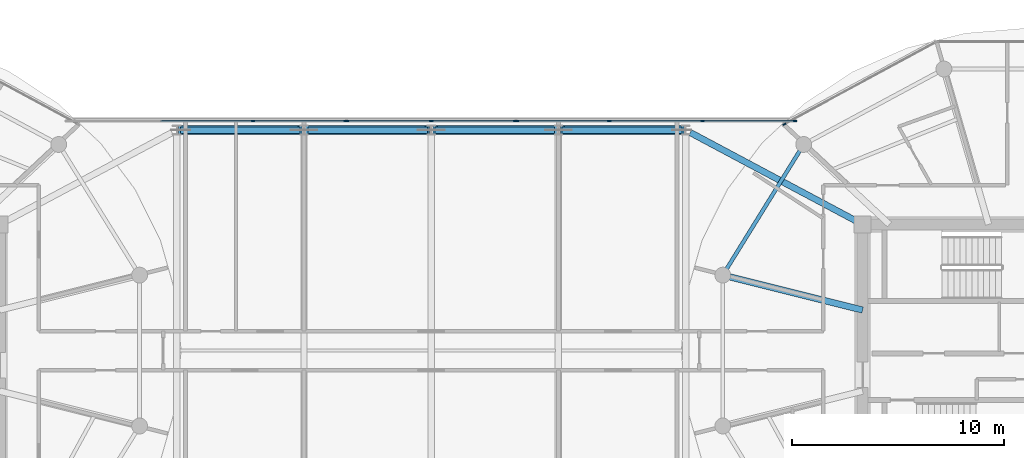
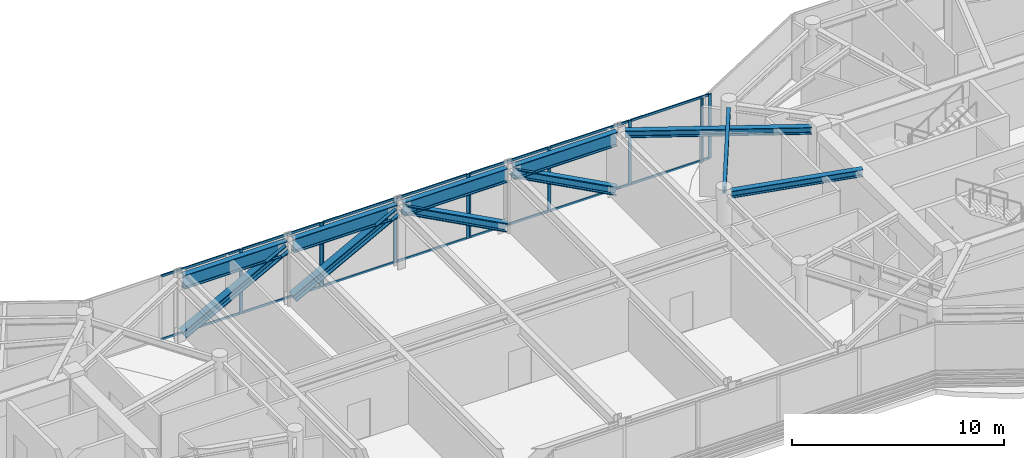
# One storey, part 8 of 24: 28 members, 7 beams, 4 elements without a shape of their own.
"""IFC4 building model written with IfcOpenShell, lengths in metres."""

from ifc_helpers import new_model, si_unit, direction, frame, origin, origin_2d, place, context, subcontext, project, spatial, rectangle, i_section, extrude, source, transform, mapped, material, layer, layer_set, material_profile, profile_set, type_object, type_shapes, element, aggregate, save


model = new_model("IFC4")

# Units and contexts
model_context = context("Model", 3, precision=1e-05, world=origin(), true_north=direction((0.0, 1.0)))
body_context = subcontext(model_context, "Body", "Model", "MODEL_VIEW")
ifc_project = project(units=[si_unit("LENGTHUNIT", "METRE"), si_unit("AREAUNIT", "SQUARE_METRE"), si_unit("VOLUMEUNIT", "CUBIC_METRE"), si_unit("PLANEANGLEUNIT", "RADIAN"), si_unit("MASSUNIT", "GRAM", prefix="KILO")], contexts=[model_context])

# Site, building, storey
site_placement = place(None, origin())
site = spatial("IfcSite", under=ifc_project, at=site_placement, CompositionType="ELEMENT")
building_placement = place(site_placement, origin())
building = spatial("IfcBuilding", under=site, at=building_placement, Name="Norrkilde Senior Care Towers", CompositionType="ELEMENT")
storey_placement = place(building_placement, frame((0.0, 0.0, 203.800048828125)))
storey = spatial("IfcBuildingStorey", under=building, at=storey_placement, Name="L63", CompositionType="ELEMENT", Elevation=203.800048828125)

# Beams
ifc_material_1 = material(Name="Steel S355", Category="steel")
ifc_material_profile_1 = material_profile(ifc_material_1, i_section(OverallWidth=0.179931640625, OverallDepth=0.39990234375, WebThickness=0.008544921875, FlangeThickness=0.013427734375, FilletRadius=0.02099609375, at=origin_2d()), Name="IPE 400")
ifc_profile_set_1 = profile_set([ifc_material_profile_1], Name="Steel S355")
beam_type_1 = type_object("IfcBeamType", Name="Perimeter Ring Spandrel Z4 IPE400", PredefinedType="SPANDREL", material=ifc_profile_set_1)
shared_shape_1 = source(origin(), body_context, "Body", "SweptSolid", [
    extrude(i_section(OverallWidth=0.179931640625, OverallDepth=0.39990234375, WebThickness=0.008544921875, FlangeThickness=0.013427734375, FilletRadius=0.02099609375, at=origin_2d()), origin(), (0.0, 0.0, 1.0), 6.58056640625),
])
type_shapes(beam_type_1, [shared_shape_1])
beam_1_placement = place(storey_placement, frame((17.393798828125, 9.43798828125, 3.510009765625), z_axis=(-0.526529583789, -0.850156807533, 0.0), x_axis=(0.850156807533, -0.526529583789, 0.0)))
element("IfcBeam", 1, at=beam_1_placement, inside=storey, type_object=beam_type_1, Name="L63 Drum E Perimeter Spandrel 05", PredefinedType="SPANDREL", context=body_context, shape_type="MappedRepresentation", body=[
    mapped(shared_shape_1, transform((0.0, 0.0, 0.0), x_axis=(1.0, 0.0, 0.0), y_axis=(0.0, 1.0, 0.0), z_axis=(0.0, 0.0, 1.0), scale=1.0)),
])
ifc_material_profile_2 = material_profile(ifc_material_1, i_section(OverallWidth=0.300048828125, OverallDepth=0.39990234375, WebThickness=0.013427734375, FlangeThickness=0.02392578125, FilletRadius=0.027099609375, at=origin_2d()), Name="HEB 400")
ifc_profile_set_2 = profile_set([ifc_material_profile_2], Name="Steel S355")
beam_type_2 = type_object("IfcBeamType", Name="Radial Floor Beam Z4 HEB400", PredefinedType="BEAM", material=ifc_profile_set_2)
shared_shape_2 = source(origin(), body_context, "Body", "SweptSolid", [
    extrude(i_section(OverallWidth=0.300048828125, OverallDepth=0.39990234375, WebThickness=0.013427734375, FlangeThickness=0.02392578125, FilletRadius=0.027099609375, at=origin_2d()), origin(), (0.0, 0.0, 1.0), 6.465087890625),
])
beam_2_placement = place(storey_placement, frame((20.35009765625, 1.910888671875, 3.510009765625), z_axis=(-0.970195788563, 0.242322371758, 0.0), x_axis=(-0.242322371758, -0.970195788563, 0.0)))
element("IfcBeam", 2, at=beam_2_placement, inside=storey, type_object=beam_type_2, Name="L63 Drum E Radial Floor Beam 06", PredefinedType="BEAM", context=body_context, shape_type="MappedRepresentation", body=[
    mapped(shared_shape_2, transform((0.0, 0.0, 0.0), x_axis=(1.0, 0.0, 0.0), y_axis=(0.0, 1.0, 0.0), z_axis=(0.0, 0.0, 1.0), scale=1.0)),
])
shared_shape_3 = source(origin(), body_context, "Body", "SweptSolid", [
    extrude(i_section(OverallWidth=0.300048828125, OverallDepth=0.39990234375, WebThickness=0.013427734375, FlangeThickness=0.02392578125, FilletRadius=0.027099609375, at=origin_2d()), origin(), (0.0, 0.0, 1.0), 8.831787109375),
])
type_shapes(beam_type_2, [shared_shape_2, shared_shape_3])
beam_3_placement = place(storey_placement, frame((12.220703125, 10.282470703125, 3.510009765625), z_axis=(0.882492172381, -0.470327083727, 0.0), x_axis=(0.470327083727, 0.882492172381, 0.0)))
element("IfcBeam", 3, at=beam_3_placement, inside=storey, type_object=beam_type_2, Name="L63 Sky-Gate Bridge Girder N6", PredefinedType="BEAM", context=body_context, shape_type="MappedRepresentation", body=[
    mapped(shared_shape_3, transform((0.0, 0.0, 0.0), x_axis=(1.0, 0.0, 0.0), y_axis=(0.0, 1.0, 0.0), z_axis=(0.0, 0.0, 1.0), scale=1.0)),
])
ifc_material_profile_3 = material_profile(ifc_material_1, i_section(OverallWidth=0.300048828125, OverallDepth=0.800048828125, WebThickness=0.017578125, FlangeThickness=0.032958984375, FilletRadius=0.030029296875, at=origin_2d()), Name="HEB 800")
ifc_profile_set_3 = profile_set([ifc_material_profile_3], Name="Steel S355")
beam_type_3 = type_object("IfcBeamType", Name="Bridge Floor Girder HEB800", PredefinedType="USERDEFINED", material=ifc_profile_set_3)
shared_shape_4 = source(origin(), body_context, "Body", "SweptSolid", [
    extrude(i_section(OverallWidth=0.300048828125, OverallDepth=0.800048828125, WebThickness=0.017578125, FlangeThickness=0.032958984375, FilletRadius=0.030029296875, at=origin_2d()), origin(), (0.0, 0.0, 1.0), 5.64013671875),
])
type_shapes(beam_type_3, [shared_shape_4])
for number, where, z_axis, x_axis, name in (
    (4, (-11.820068359375, 10.39990234375, 3.31005859375), (1.0, 0.0, 0.0), (0.0, 1.0, 0.0), "L63 Sky-Gate Bridge Girder N2"),
    (5, (-5.820068359375, 10.39990234375, 3.31005859375), (1.0, 0.0, 0.0), (0.0, 1.0, 0.0), "L63 Sky-Gate Bridge Girder N3"),
    (6, (0.179931640625, 10.39990234375, 3.31005859375), (1.0, 0.0, 0.0), (0.0, 1.0, 0.0), "L63 Sky-Gate Bridge Girder N4"),
    (7, (6.179931640625, 10.39990234375, 3.31005859375), (1.0, 0.0, 0.0), (0.0, 1.0, 0.0), "L63 Sky-Gate Bridge Girder N5"),
):
    element("IfcBeam", number, at=place(storey_placement, frame(where, z_axis=z_axis, x_axis=x_axis)), inside=storey, type_object=beam_type_3, Name=name, ObjectType="GIRDER", PredefinedType="USERDEFINED", context=body_context, shape_type="MappedRepresentation", body=[
        mapped(shared_shape_4, transform((0.0, 0.0, 0.0), x_axis=(1.0, 0.0, 0.0), y_axis=(0.0, 1.0, 0.0), z_axis=(0.0, 0.0, 1.0), scale=1.0)),
    ])

# Members
ifc_material_profile_4 = material_profile(ifc_material_1, i_section(OverallWidth=0.412109375, OverallDepth=0.449951171875, WebThickness=0.028076171875, FlangeThickness=0.044921875, FilletRadius=0.014892578125, at=origin_2d()), Name="HD 400x509")
ifc_profile_set_4 = profile_set([ifc_material_profile_4], Name="Steel S355")
member_type_1 = type_object("IfcMemberType", Name="Pratt Bridge Truss Diagonal HD400x509", PredefinedType="BRACE", material=ifc_profile_set_4)
shared_shape_5 = source(origin(), body_context, "Body", "SweptSolid", [
    extrude(i_section(OverallWidth=0.412109375, OverallDepth=0.449951171875, WebThickness=0.028076171875, FlangeThickness=0.044921875, FilletRadius=0.014892578125, at=origin_2d()), origin(), (0.0, 0.0, 1.0), 6.39306640625),
])
type_shapes(member_type_1, [shared_shape_5])
for number, where, z_axis, x_axis, name in (
    (8, (-11.820068359375, 10.39990234375, 0.300048828125), (0.882227112754, 0.0, 0.470824087661), (0.0, 1.0, 0.0), "L63 Sky-Gate Pratt Truss Diagonal N2"),
    (9, (-5.820068359375, 10.39990234375, 0.300048828125), (0.882227112754, 0.0, 0.470824087661), (0.0, 1.0, 0.0), "L63 Sky-Gate Pratt Truss Diagonal N3"),
    (10, (5.820068359375, 10.39990234375, 0.300048828125), (-0.882227112754, 0.0, 0.470824087661), (0.0, -1.0, 0.0), "L63 Sky-Gate Pratt Truss Diagonal N4"),
    (11, (11.820068359375, 10.39990234375, 0.300048828125), (-0.882227112754, 0.0, 0.470824087661), (0.0, -1.0, 0.0), "L63 Sky-Gate Pratt Truss Diagonal N5"),
):
    element("IfcMember", number, at=place(storey_placement, frame(where, z_axis=z_axis, x_axis=x_axis)), inside=storey, type_object=member_type_1, Name=name, PredefinedType="BRACE", context=body_context, shape_type="MappedRepresentation", body=[
        mapped(shared_shape_5, transform((0.0, 0.0, 0.0), x_axis=(1.0, 0.0, 0.0), y_axis=(0.0, 1.0, 0.0), z_axis=(0.0, 0.0, 1.0), scale=1.0)),
    ])

# Curtain wall, member
ifc_material_2 = material(Name="Triple Low-E Insulated Glazing", Category="glass")
ifc_layer_1 = layer(ifc_material_2, 0.18505859375)
ifc_layer_set_1 = layer_set([ifc_layer_1], Name="Triple Low-E Insulated Glazing")
curtain_wall_type_1 = type_object("IfcCurtainWallType", Name="CW6 Zone 4 Crown Pavilion Curtain Wall", PredefinedType="NOTDEFINED", material=ifc_layer_set_1)
curtain_wall_1_placement = place(storey_placement, origin())
curtain_wall_1 = element("IfcCurtainWall", 12, at=curtain_wall_1_placement, inside=storey, type_object=curtain_wall_type_1, Name="L63 Drum E Curtain Wall 03", PredefinedType="NOTDEFINED")
ifc_material_3 = material(Name="Anodised Aluminium", Category="aluminium")
ifc_material_profile_5 = material_profile(ifc_material_3, rectangle(XDim=0.06494140625, YDim=0.14990234375, at=origin_2d()), Name="ALU MULL 65x150")
ifc_profile_set_5 = profile_set([ifc_material_profile_5], Name="Anodised Aluminium")
member_type_2 = type_object("IfcMemberType", Name="Curtain Wall Mullion Z3-Z4 65x150", PredefinedType="MULLION", material=ifc_profile_set_5)
shared_shape_6 = source(origin(), body_context, "Body", "SweptSolid", [
    extrude(rectangle(XDim=0.06494140625, YDim=0.14990234375, at=origin_2d()), origin(), (0.0, 0.0, 1.0), 3.7099609375),
])
type_shapes(member_type_2, [shared_shape_6])
member_1_placement = place(storey_placement, frame((16.658203125, 10.6787109375, 0.0), z_axis=(0.0, 0.0, 1.0), x_axis=(-0.476132676136, 0.879373455772, 0.0)))
member_1 = element("IfcMember", 13, at=member_1_placement, type_object=member_type_2, Name="CW-6 mullion 1", PredefinedType="MULLION", context=body_context, shape_type="MappedRepresentation", body=[
    mapped(shared_shape_6, transform((0.0, 0.0, 0.0), x_axis=(1.0, 0.0, 0.0), y_axis=(0.0, 1.0, 0.0), z_axis=(0.0, 0.0, 1.0), scale=1.0)),
])
aggregate(curtain_wall_1, [member_1])

# Curtain wall, members
ifc_layer_2 = layer(ifc_material_2, 0.2099609375)
ifc_layer_set_2 = layer_set([ifc_layer_2], Name="Triple Low-E Insulated Glazing")
curtain_wall_type_2 = type_object("IfcCurtainWallType", Name="CW5 Sky-Gate Bridge Curtain Wall", PredefinedType="NOTDEFINED", material=ifc_layer_set_2)
curtain_wall_2_placement = place(storey_placement, origin())
curtain_wall_2 = element("IfcCurtainWall", 14, at=curtain_wall_2_placement, inside=storey, type_object=curtain_wall_type_2, Name="L63 Sky-Gate Bridge North Curtain Wall 1", PredefinedType="NOTDEFINED")
ifc_material_profile_6 = material_profile(ifc_material_3, rectangle(XDim=0.070068359375, YDim=0.169921875, at=origin_2d()), Name="ALU MULL 70x170")
ifc_profile_set_6 = profile_set([ifc_material_profile_6], Name="Anodised Aluminium")
member_type_3 = type_object("IfcMemberType", Name="Curtain Wall Mullion Heavy 70x170", PredefinedType="MULLION", material=ifc_profile_set_6)
shared_shape_7 = source(origin(), body_context, "Body", "SweptSolid", [
    extrude(rectangle(XDim=0.070068359375, YDim=0.169921875, at=origin_2d()), origin(), (0.0, 0.0, 1.0), 3.7099609375),
])
type_shapes(member_type_3, [shared_shape_7])
member_2_placement = place(storey_placement, frame((-8.39990234375, 10.820068359375, 0.0), z_axis=(0.0, 0.0, 1.0), x_axis=(0.0, 1.0, 0.0)))
member_2 = element("IfcMember", 15, at=member_2_placement, type_object=member_type_3, Name="CW-5 mullion 3", PredefinedType="MULLION", context=body_context, shape_type="MappedRepresentation", body=[
    mapped(shared_shape_7, transform((0.0, 0.0, 0.0), x_axis=(1.0, 0.0, 0.0), y_axis=(0.0, 1.0, 0.0), z_axis=(0.0, 0.0, 1.0), scale=1.0)),
])
member_3_placement = place(storey_placement, frame((-4.034912109375, 10.820068359375, 0.0), z_axis=(0.0, 0.0, 1.0), x_axis=(0.0, 1.0, 0.0)))
member_3 = element("IfcMember", 16, at=member_3_placement, type_object=member_type_3, Name="CW-5 mullion 4", PredefinedType="MULLION", context=body_context, shape_type="MappedRepresentation", body=[
    mapped(shared_shape_7, transform((0.0, 0.0, 0.0), x_axis=(1.0, 0.0, 0.0), y_axis=(0.0, 1.0, 0.0), z_axis=(0.0, 0.0, 1.0), scale=1.0)),
])

curtain_wall_3_placement = place(storey_placement, origin())
curtain_wall_3 = element("IfcCurtainWall", 17, at=curtain_wall_3_placement, inside=storey, type_object=curtain_wall_type_2, Name="L63 Sky-Gate Bridge North Curtain Wall 2", PredefinedType="NOTDEFINED")
member_4_placement = place(storey_placement, frame((-3.965087890625, 10.820068359375, 0.0), z_axis=(0.0, 0.0, 1.0), x_axis=(0.0, 1.0, 0.0)))
member_4 = element("IfcMember", 18, at=member_4_placement, type_object=member_type_3, Name="CW-5 mullion 1", PredefinedType="MULLION", context=body_context, shape_type="MappedRepresentation", body=[
    mapped(shared_shape_7, transform((0.0, 0.0, 0.0), x_axis=(1.0, 0.0, 0.0), y_axis=(0.0, 1.0, 0.0), z_axis=(0.0, 0.0, 1.0), scale=1.0)),
])
member_5_placement = place(storey_placement, frame((0.0, 10.820068359375, 0.0), z_axis=(0.0, 0.0, 1.0), x_axis=(0.0, 1.0, 0.0)))
member_5 = element("IfcMember", 19, at=member_5_placement, type_object=member_type_3, Name="CW-5 mullion 2", PredefinedType="MULLION", context=body_context, shape_type="MappedRepresentation", body=[
    mapped(shared_shape_7, transform((0.0, 0.0, 0.0), x_axis=(1.0, 0.0, 0.0), y_axis=(0.0, 1.0, 0.0), z_axis=(0.0, 0.0, 1.0), scale=1.0)),
])
member_6_placement = place(storey_placement, frame((3.965087890625, 10.820068359375, 0.0), z_axis=(0.0, 0.0, 1.0), x_axis=(0.0, 1.0, 0.0)))
member_6 = element("IfcMember", 20, at=member_6_placement, type_object=member_type_3, Name="CW-5 mullion 3", PredefinedType="MULLION", context=body_context, shape_type="MappedRepresentation", body=[
    mapped(shared_shape_7, transform((0.0, 0.0, 0.0), x_axis=(1.0, 0.0, 0.0), y_axis=(0.0, 1.0, 0.0), z_axis=(0.0, 0.0, 1.0), scale=1.0)),
])

curtain_wall_4_placement = place(storey_placement, origin())
curtain_wall_4 = element("IfcCurtainWall", 21, at=curtain_wall_4_placement, inside=storey, type_object=curtain_wall_type_2, Name="L63 Sky-Gate Bridge North Curtain Wall 3", PredefinedType="NOTDEFINED")
member_7_placement = place(storey_placement, frame((4.034912109375, 10.820068359375, 0.0), z_axis=(0.0, 0.0, 1.0), x_axis=(0.0, 1.0, 0.0)))
member_7 = element("IfcMember", 22, at=member_7_placement, type_object=member_type_3, Name="CW-5 mullion 1", PredefinedType="MULLION", context=body_context, shape_type="MappedRepresentation", body=[
    mapped(shared_shape_7, transform((0.0, 0.0, 0.0), x_axis=(1.0, 0.0, 0.0), y_axis=(0.0, 1.0, 0.0), z_axis=(0.0, 0.0, 1.0), scale=1.0)),
])
member_8_placement = place(storey_placement, frame((8.39990234375, 10.820068359375, 0.0), z_axis=(0.0, 0.0, 1.0), x_axis=(0.0, 1.0, 0.0)))
member_8 = element("IfcMember", 23, at=member_8_placement, type_object=member_type_3, Name="CW-5 mullion 2", PredefinedType="MULLION", context=body_context, shape_type="MappedRepresentation", body=[
    mapped(shared_shape_7, transform((0.0, 0.0, 0.0), x_axis=(1.0, 0.0, 0.0), y_axis=(0.0, 1.0, 0.0), z_axis=(0.0, 0.0, 1.0), scale=1.0)),
])
member_9_placement = place(storey_placement, frame((12.800048828125, 10.820068359375, 0.0), z_axis=(0.0, 0.0, 1.0), x_axis=(0.0, 1.0, 0.0)))
member_9 = element("IfcMember", 24, at=member_9_placement, type_object=member_type_3, Name="CW-5 mullion 3", PredefinedType="MULLION", context=body_context, shape_type="MappedRepresentation", body=[
    mapped(shared_shape_7, transform((0.0, 0.0, 0.0), x_axis=(1.0, 0.0, 0.0), y_axis=(0.0, 1.0, 0.0), z_axis=(0.0, 0.0, 1.0), scale=1.0)),
])
member_10_placement = place(storey_placement, frame((17.1650390625, 10.820068359375, 0.0), z_axis=(0.0, 0.0, 1.0), x_axis=(0.0, 1.0, 0.0)))
member_10 = element("IfcMember", 25, at=member_10_placement, type_object=member_type_3, Name="CW-5 mullion 4", PredefinedType="MULLION", context=body_context, shape_type="MappedRepresentation", body=[
    mapped(shared_shape_7, transform((0.0, 0.0, 0.0), x_axis=(1.0, 0.0, 0.0), y_axis=(0.0, 1.0, 0.0), z_axis=(0.0, 0.0, 1.0), scale=1.0)),
])

# Member
ifc_material_profile_7 = material_profile(ifc_material_3, rectangle(XDim=0.06494140625, YDim=0.1298828125, at=origin_2d()), Name="ALU TRAN 65x130")
ifc_profile_set_7 = profile_set([ifc_material_profile_7], Name="Anodised Aluminium")
member_type_4 = type_object("IfcMemberType", Name="Curtain Wall Transom Heavy 65x130", PredefinedType="USERDEFINED", material=ifc_profile_set_7)
shared_shape_8 = source(origin(), body_context, "Body", "SweptSolid", [
    extrude(rectangle(XDim=0.06494140625, YDim=0.1298828125, at=origin_2d()), origin(), (0.0, 0.0, 1.0), 4.294921875),
])
member_11_placement = place(storey_placement, frame((-8.364990234375, 10.820068359375, 0.032470703125), z_axis=(1.0, 0.0, 0.0), x_axis=(0.0, 1.0, 0.0)))
member_11 = element("IfcMember", 26, at=member_11_placement, type_object=member_type_4, Name="CW-5 transom 3.1", ObjectType="TRANSOM", PredefinedType="USERDEFINED", context=body_context, shape_type="MappedRepresentation", body=[
    mapped(shared_shape_8, transform((0.0, 0.0, 0.0), x_axis=(1.0, 0.0, 0.0), y_axis=(0.0, 1.0, 0.0), z_axis=(0.0, 0.0, 1.0), scale=1.0)),
])

member_12_placement = place(storey_placement, frame((-8.364990234375, 10.820068359375, 3.677490234375), z_axis=(1.0, 0.0, 0.0), x_axis=(0.0, 1.0, 0.0)))
member_12 = element("IfcMember", 27, at=member_12_placement, type_object=member_type_4, Name="CW-5 transom 3.2", ObjectType="TRANSOM", PredefinedType="USERDEFINED", context=body_context, shape_type="MappedRepresentation", body=[
    mapped(shared_shape_8, transform((0.0, 0.0, 0.0), x_axis=(1.0, 0.0, 0.0), y_axis=(0.0, 1.0, 0.0), z_axis=(0.0, 0.0, 1.0), scale=1.0)),
])

member_13_placement = place(storey_placement, frame((4.070068359375, 10.820068359375, 0.032470703125), z_axis=(1.0, 0.0, 0.0), x_axis=(0.0, 1.0, 0.0)))
member_13 = element("IfcMember", 28, at=member_13_placement, type_object=member_type_4, Name="CW-5 transom 1.1", ObjectType="TRANSOM", PredefinedType="USERDEFINED", context=body_context, shape_type="MappedRepresentation", body=[
    mapped(shared_shape_8, transform((0.0, 0.0, 0.0), x_axis=(1.0, 0.0, 0.0), y_axis=(0.0, 1.0, 0.0), z_axis=(0.0, 0.0, 1.0), scale=1.0)),
])

member_14_placement = place(storey_placement, frame((4.070068359375, 10.820068359375, 3.677490234375), z_axis=(1.0, 0.0, 0.0), x_axis=(0.0, 1.0, 0.0)))
member_14 = element("IfcMember", 29, at=member_14_placement, type_object=member_type_4, Name="CW-5 transom 1.2", ObjectType="TRANSOM", PredefinedType="USERDEFINED", context=body_context, shape_type="MappedRepresentation", body=[
    mapped(shared_shape_8, transform((0.0, 0.0, 0.0), x_axis=(1.0, 0.0, 0.0), y_axis=(0.0, 1.0, 0.0), z_axis=(0.0, 0.0, 1.0), scale=1.0)),
])

member_15_placement = place(storey_placement, frame((12.8349609375, 10.820068359375, 0.032470703125), z_axis=(1.0, 0.0, 0.0), x_axis=(0.0, 1.0, 0.0)))
member_15 = element("IfcMember", 30, at=member_15_placement, type_object=member_type_4, Name="CW-5 transom 3.1", ObjectType="TRANSOM", PredefinedType="USERDEFINED", context=body_context, shape_type="MappedRepresentation", body=[
    mapped(shared_shape_8, transform((0.0, 0.0, 0.0), x_axis=(1.0, 0.0, 0.0), y_axis=(0.0, 1.0, 0.0), z_axis=(0.0, 0.0, 1.0), scale=1.0)),
])

member_16_placement = place(storey_placement, frame((12.8349609375, 10.820068359375, 3.677490234375), z_axis=(1.0, 0.0, 0.0), x_axis=(0.0, 1.0, 0.0)))
member_16 = element("IfcMember", 31, at=member_16_placement, type_object=member_type_4, Name="CW-5 transom 3.2", ObjectType="TRANSOM", PredefinedType="USERDEFINED", context=body_context, shape_type="MappedRepresentation", body=[
    mapped(shared_shape_8, transform((0.0, 0.0, 0.0), x_axis=(1.0, 0.0, 0.0), y_axis=(0.0, 1.0, 0.0), z_axis=(0.0, 0.0, 1.0), scale=1.0)),
])

shared_shape_9 = source(origin(), body_context, "Body", "SweptSolid", [
    extrude(rectangle(XDim=0.06494140625, YDim=0.1298828125, at=origin_2d()), origin(), (0.0, 0.0, 1.0), 4.329833984375),
])
member_17_placement = place(storey_placement, frame((-12.764892578125, 10.820068359375, 0.032470703125), z_axis=(1.0, 0.0, 0.0), x_axis=(0.0, 1.0, 0.0)))
member_17 = element("IfcMember", 32, at=member_17_placement, type_object=member_type_4, Name="CW-5 transom 2.1", ObjectType="TRANSOM", PredefinedType="USERDEFINED", context=body_context, shape_type="MappedRepresentation", body=[
    mapped(shared_shape_9, transform((0.0, 0.0, 0.0), x_axis=(1.0, 0.0, 0.0), y_axis=(0.0, 1.0, 0.0), z_axis=(0.0, 0.0, 1.0), scale=1.0)),
])

member_18_placement = place(storey_placement, frame((-12.764892578125, 10.820068359375, 3.677490234375), z_axis=(1.0, 0.0, 0.0), x_axis=(0.0, 1.0, 0.0)))
member_18 = element("IfcMember", 33, at=member_18_placement, type_object=member_type_4, Name="CW-5 transom 2.2", ObjectType="TRANSOM", PredefinedType="USERDEFINED", context=body_context, shape_type="MappedRepresentation", body=[
    mapped(shared_shape_9, transform((0.0, 0.0, 0.0), x_axis=(1.0, 0.0, 0.0), y_axis=(0.0, 1.0, 0.0), z_axis=(0.0, 0.0, 1.0), scale=1.0)),
])

aggregate(curtain_wall_2, [member_2, member_3, member_17, member_18, member_11, member_12])

member_19_placement = place(storey_placement, frame((8.43505859375, 10.820068359375, 0.032470703125), z_axis=(1.0, 0.0, 0.0), x_axis=(0.0, 1.0, 0.0)))
member_19 = element("IfcMember", 34, at=member_19_placement, type_object=member_type_4, Name="CW-5 transom 2.1", ObjectType="TRANSOM", PredefinedType="USERDEFINED", context=body_context, shape_type="MappedRepresentation", body=[
    mapped(shared_shape_9, transform((0.0, 0.0, 0.0), x_axis=(1.0, 0.0, 0.0), y_axis=(0.0, 1.0, 0.0), z_axis=(0.0, 0.0, 1.0), scale=1.0)),
])

member_20_placement = place(storey_placement, frame((8.43505859375, 10.820068359375, 3.677490234375), z_axis=(1.0, 0.0, 0.0), x_axis=(0.0, 1.0, 0.0)))
member_20 = element("IfcMember", 35, at=member_20_placement, type_object=member_type_4, Name="CW-5 transom 2.2", ObjectType="TRANSOM", PredefinedType="USERDEFINED", context=body_context, shape_type="MappedRepresentation", body=[
    mapped(shared_shape_9, transform((0.0, 0.0, 0.0), x_axis=(1.0, 0.0, 0.0), y_axis=(0.0, 1.0, 0.0), z_axis=(0.0, 0.0, 1.0), scale=1.0)),
])

aggregate(curtain_wall_4, [member_7, member_8, member_9, member_10, member_13, member_14, member_19, member_20, member_15, member_16])

shared_shape_10 = source(origin(), body_context, "Body", "SweptSolid", [
    extrude(rectangle(XDim=0.06494140625, YDim=0.1298828125, at=origin_2d()), origin(), (0.0, 0.0, 1.0), 3.89501953125),
])
type_shapes(member_type_4, [shared_shape_8, shared_shape_9, shared_shape_10])
member_21_placement = place(storey_placement, frame((-3.929931640625, 10.820068359375, 0.032470703125), z_axis=(1.0, 0.0, 0.0), x_axis=(0.0, 1.0, 0.0)))
member_21 = element("IfcMember", 36, at=member_21_placement, type_object=member_type_4, Name="CW-5 transom 1.1", ObjectType="TRANSOM", PredefinedType="USERDEFINED", context=body_context, shape_type="MappedRepresentation", body=[
    mapped(shared_shape_10, transform((0.0, 0.0, 0.0), x_axis=(1.0, 0.0, 0.0), y_axis=(0.0, 1.0, 0.0), z_axis=(0.0, 0.0, 1.0), scale=1.0)),
])

member_22_placement = place(storey_placement, frame((-3.929931640625, 10.820068359375, 3.677490234375), z_axis=(1.0, 0.0, 0.0), x_axis=(0.0, 1.0, 0.0)))
member_22 = element("IfcMember", 37, at=member_22_placement, type_object=member_type_4, Name="CW-5 transom 1.2", ObjectType="TRANSOM", PredefinedType="USERDEFINED", context=body_context, shape_type="MappedRepresentation", body=[
    mapped(shared_shape_10, transform((0.0, 0.0, 0.0), x_axis=(1.0, 0.0, 0.0), y_axis=(0.0, 1.0, 0.0), z_axis=(0.0, 0.0, 1.0), scale=1.0)),
])

member_23_placement = place(storey_placement, frame((0.034912109375, 10.820068359375, 0.032470703125), z_axis=(1.0, 0.0, 0.0), x_axis=(0.0, 1.0, 0.0)))
member_23 = element("IfcMember", 38, at=member_23_placement, type_object=member_type_4, Name="CW-5 transom 2.1", ObjectType="TRANSOM", PredefinedType="USERDEFINED", context=body_context, shape_type="MappedRepresentation", body=[
    mapped(shared_shape_10, transform((0.0, 0.0, 0.0), x_axis=(1.0, 0.0, 0.0), y_axis=(0.0, 1.0, 0.0), z_axis=(0.0, 0.0, 1.0), scale=1.0)),
])

member_24_placement = place(storey_placement, frame((0.034912109375, 10.820068359375, 3.677490234375), z_axis=(1.0, 0.0, 0.0), x_axis=(0.0, 1.0, 0.0)))
member_24 = element("IfcMember", 39, at=member_24_placement, type_object=member_type_4, Name="CW-5 transom 2.2", ObjectType="TRANSOM", PredefinedType="USERDEFINED", context=body_context, shape_type="MappedRepresentation", body=[
    mapped(shared_shape_10, transform((0.0, 0.0, 0.0), x_axis=(1.0, 0.0, 0.0), y_axis=(0.0, 1.0, 0.0), z_axis=(0.0, 0.0, 1.0), scale=1.0)),
])

aggregate(curtain_wall_3, [member_4, member_5, member_6, member_21, member_22, member_23, member_24])

save(model, "model.ifc")
